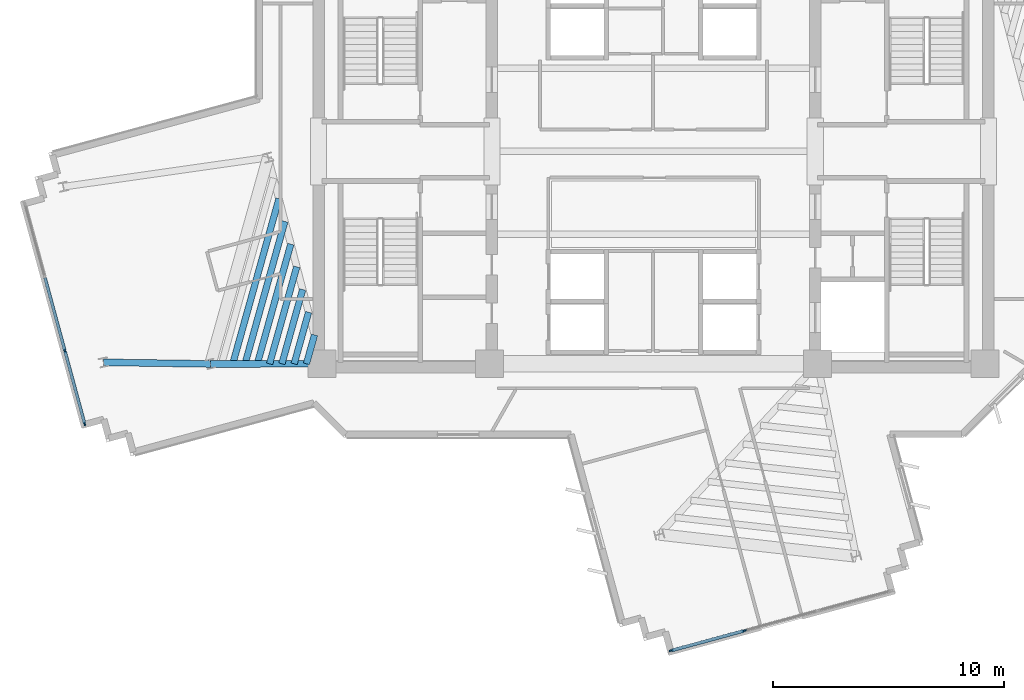
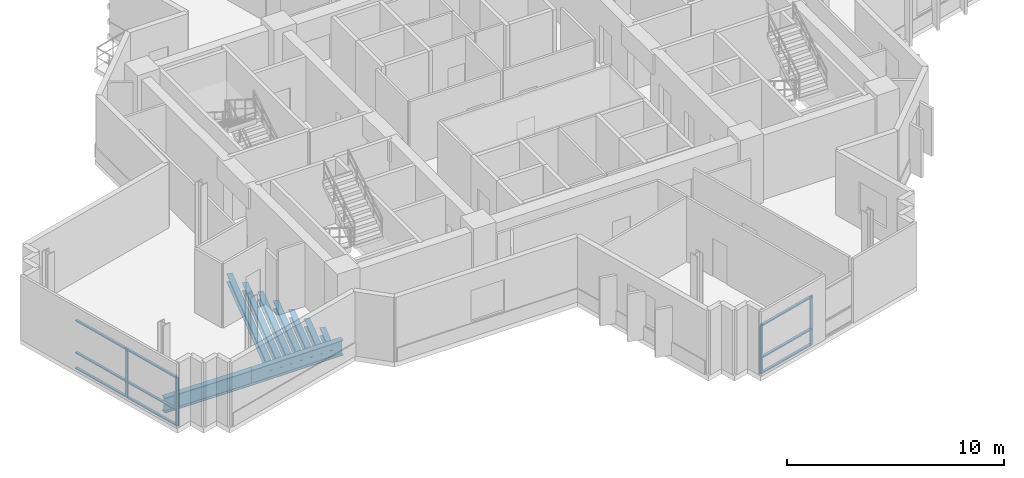
# One storey, part 2 of 15: 13 members, 9 beams, 2 elements without a shape of their own.
"""IFC4 building model written with IfcOpenShell, lengths in metres."""

from ifc_helpers import new_model, si_unit, direction, frame, origin, origin_2d, place, context, subcontext, project, spatial, rectangle, i_section, extrude, source, transform, mapped, material, layer, layer_set, material_profile, profile_set, type_object, element, aggregate, save


model = new_model("IFC4")

# Units and contexts
model_context = context("Model", 3, precision=1e-05, world=origin(), true_north=direction((0.0, 1.0)))
body_context = subcontext(model_context, "Body", "Model", "MODEL_VIEW")
ifc_project = project(units=[si_unit("LENGTHUNIT", "METRE"), si_unit("AREAUNIT", "SQUARE_METRE"), si_unit("VOLUMEUNIT", "CUBIC_METRE"), si_unit("PLANEANGLEUNIT", "RADIAN"), si_unit("MASSUNIT", "GRAM", prefix="KILO")], contexts=[model_context])

# Site, building, storey
site_placement = place(None, origin())
site = spatial("IfcSite", under=ifc_project, at=site_placement, CompositionType="ELEMENT")
building_placement = place(site_placement, origin())
building = spatial("IfcBuilding", under=site, at=building_placement, Name="Zahravan Cultural Tower", CompositionType="ELEMENT")
storey_placement = place(building_placement, frame((0.0, 0.0, 198.0)))
storey = spatial("IfcBuildingStorey", under=building, at=storey_placement, Name="L46", CompositionType="ELEMENT", Elevation=198.0)

# Beams
ifc_material_1 = material(Name="Steel ASTM A992 Grade 50", Category="steel")
ifc_material_profile_1 = material_profile(ifc_material_1, i_section(OverallWidth=0.29296875, OverallDepth=0.845947265625, WebThickness=0.015380859375, FlangeThickness=0.0244140625, FilletRadius=0.02001953125, at=origin_2d()), Name="W33X141")
ifc_profile_set_1 = profile_set([ifc_material_profile_1], Name="Steel ASTM A992 Grade 50")
beam_type_1 = type_object("IfcBeamType", Name="BM-G-W33X141", PredefinedType="BEAM", material=ifc_profile_set_1)
shared_shape_1 = source(origin(), body_context, "Body", "SweptSolid", [
    extrude(i_section(OverallWidth=0.29296875, OverallDepth=0.845947265625, WebThickness=0.015380859375, FlangeThickness=0.0244140625, FilletRadius=0.02001953125, at=origin_2d()), origin(), (0.0, 0.0, 1.0), 4.834716796875),
])
beam_1_placement = place(storey_placement, frame((21.64990234375, 17.800048828125, -0.702880859375), z_axis=(-0.99999920313, -0.001262433979, 0.0), x_axis=(0.001262433979, -0.99999920313, 0.0)))
element("IfcBeam", 1, at=beam_1_placement, inside=storey, type_object=beam_type_1, Name="L46 Beam BG-L46-08", PredefinedType="BEAM", context=body_context, shape_type="MappedRepresentation", body=[
    mapped(shared_shape_1, transform((0.0, 0.0, 0.0), x_axis=(1.0, 0.0, 0.0), y_axis=(0.0, 1.0, 0.0), z_axis=(0.0, 0.0, 1.0), scale=1.0)),
])
shared_shape_2 = source(origin(), body_context, "Body", "SweptSolid", [
    extrude(i_section(OverallWidth=0.29296875, OverallDepth=0.845947265625, WebThickness=0.015380859375, FlangeThickness=0.0244140625, FilletRadius=0.02001953125, at=origin_2d()), origin(), (0.0, 0.0, 1.0), 4.622314453125),
])
beam_2_placement = place(storey_placement, frame((16.815185546875, 17.7939453125, -0.702880859375), z_axis=(-0.999889070044, 0.014894549562, 0.0), x_axis=(-0.014894549562, -0.999889070044, 0.0)))
element("IfcBeam", 2, at=beam_2_placement, inside=storey, type_object=beam_type_1, Name="L46 Beam BG-L46-18", PredefinedType="BEAM", context=body_context, shape_type="MappedRepresentation", body=[
    mapped(shared_shape_2, transform((0.0, 0.0, 0.0), x_axis=(1.0, 0.0, 0.0), y_axis=(0.0, 1.0, 0.0), z_axis=(0.0, 0.0, 1.0), scale=1.0)),
])
ifc_material_profile_2 = material_profile(ifc_material_1, i_section(OverallWidth=0.280029296875, OverallDepth=0.462890625, WebThickness=0.0107421875, FlangeThickness=0.017333984375, FilletRadius=0.012939453125, at=origin_2d()), Name="W18X76")
ifc_profile_set_2 = profile_set([ifc_material_profile_2], Name="Steel ASTM A992 Grade 50")
beam_type_2 = type_object("IfcBeamType", Name="BM-J-W18X76", PredefinedType="JOIST", material=ifc_profile_set_2)
shared_shape_3 = source(origin(), body_context, "Body", "SweptSolid", [
    extrude(i_section(OverallWidth=0.280029296875, OverallDepth=0.462890625, WebThickness=0.0107421875, FlangeThickness=0.017333984375, FilletRadius=0.012939453125, at=origin_2d()), origin(), (0.0, 0.0, 1.0), 1.299072265625),
])
beam_3_placement = place(storey_placement, frame((21.3232421875, 19.050048828125, -0.511474609375), z_axis=(-0.269504444708, -0.962999145525, 0.0), x_axis=(0.962999145525, -0.269504444708, 0.0)))
element("IfcBeam", 3, at=beam_3_placement, inside=storey, type_object=beam_type_2, Name="L46 Beam BJ-L46-26", PredefinedType="JOIST", context=body_context, shape_type="MappedRepresentation", body=[
    mapped(shared_shape_3, transform((0.0, 0.0, 0.0), x_axis=(1.0, 0.0, 0.0), y_axis=(0.0, 1.0, 0.0), z_axis=(0.0, 0.0, 1.0), scale=1.0)),
])
shared_shape_4 = source(origin(), body_context, "Body", "SweptSolid", [
    extrude(i_section(OverallWidth=0.280029296875, OverallDepth=0.462890625, WebThickness=0.0107421875, FlangeThickness=0.017333984375, FilletRadius=0.012939453125, at=origin_2d()), origin(), (0.0, 0.0, 1.0), 2.3193359375),
])
beam_4_placement = place(storey_placement, frame((21.06640625, 20.0322265625, -0.511474609375), z_axis=(-0.269462038626, -0.963011012263, 0.0), x_axis=(0.963011012263, -0.269462038626, 0.0)))
element("IfcBeam", 4, at=beam_4_placement, inside=storey, type_object=beam_type_2, Name="L46 Beam BJ-L46-27", PredefinedType="JOIST", context=body_context, shape_type="MappedRepresentation", body=[
    mapped(shared_shape_4, transform((0.0, 0.0, 0.0), x_axis=(1.0, 0.0, 0.0), y_axis=(0.0, 1.0, 0.0), z_axis=(0.0, 0.0, 1.0), scale=1.0)),
])
shared_shape_5 = source(origin(), body_context, "Body", "SweptSolid", [
    extrude(i_section(OverallWidth=0.280029296875, OverallDepth=0.462890625, WebThickness=0.0107421875, FlangeThickness=0.017333984375, FilletRadius=0.012939453125, at=origin_2d()), origin(), (0.0, 0.0, 1.0), 3.340087890625),
])
beam_5_placement = place(storey_placement, frame((20.809814453125, 21.014404296875, -0.511474609375), z_axis=(-0.269562146951, -0.962982995141, 0.0), x_axis=(0.962982995141, -0.269562146951, 0.0)))
element("IfcBeam", 5, at=beam_5_placement, inside=storey, type_object=beam_type_2, Name="L46 Beam BJ-L46-28", PredefinedType="JOIST", context=body_context, shape_type="MappedRepresentation", body=[
    mapped(shared_shape_5, transform((0.0, 0.0, 0.0), x_axis=(1.0, 0.0, 0.0), y_axis=(0.0, 1.0, 0.0), z_axis=(0.0, 0.0, 1.0), scale=1.0)),
])
shared_shape_6 = source(origin(), body_context, "Body", "SweptSolid", [
    extrude(i_section(OverallWidth=0.280029296875, OverallDepth=0.462890625, WebThickness=0.0107421875, FlangeThickness=0.017333984375, FilletRadius=0.012939453125, at=origin_2d()), origin(), (0.0, 0.0, 1.0), 4.36083984375),
])
beam_6_placement = place(storey_placement, frame((20.552978515625, 21.99658203125, -0.511474609375), z_axis=(-0.269511557673, -0.962997154866, 0.0), x_axis=(0.962997154866, -0.269511557673, 0.0)))
element("IfcBeam", 6, at=beam_6_placement, inside=storey, type_object=beam_type_2, Name="L46 Beam BJ-L46-29", PredefinedType="JOIST", context=body_context, shape_type="MappedRepresentation", body=[
    mapped(shared_shape_6, transform((0.0, 0.0, 0.0), x_axis=(1.0, 0.0, 0.0), y_axis=(0.0, 1.0, 0.0), z_axis=(0.0, 0.0, 1.0), scale=1.0)),
])
shared_shape_7 = source(origin(), body_context, "Body", "SweptSolid", [
    extrude(i_section(OverallWidth=0.280029296875, OverallDepth=0.462890625, WebThickness=0.0107421875, FlangeThickness=0.017333984375, FilletRadius=0.012939453125, at=origin_2d()), origin(), (0.0, 0.0, 1.0), 5.3818359375),
])
beam_7_placement = place(storey_placement, frame((20.296142578125, 22.97900390625, -0.511474609375), z_axis=(-0.269510454638, -0.962997463569, 0.0), x_axis=(0.962997463569, -0.269510454638, 0.0)))
element("IfcBeam", 7, at=beam_7_placement, inside=storey, type_object=beam_type_2, Name="L46 Beam BJ-L46-30", PredefinedType="JOIST", context=body_context, shape_type="MappedRepresentation", body=[
    mapped(shared_shape_7, transform((0.0, 0.0, 0.0), x_axis=(1.0, 0.0, 0.0), y_axis=(0.0, 1.0, 0.0), z_axis=(0.0, 0.0, 1.0), scale=1.0)),
])
shared_shape_8 = source(origin(), body_context, "Body", "SweptSolid", [
    extrude(i_section(OverallWidth=0.280029296875, OverallDepth=0.462890625, WebThickness=0.0107421875, FlangeThickness=0.017333984375, FilletRadius=0.012939453125, at=origin_2d()), origin(), (0.0, 0.0, 1.0), 6.402099609375),
])
beam_8_placement = place(storey_placement, frame((20.039306640625, 23.961181640625, -0.511474609375), z_axis=(-0.269494133533, -0.963002031146, 0.0), x_axis=(0.963002031146, -0.269494133533, 0.0)))
element("IfcBeam", 8, at=beam_8_placement, inside=storey, type_object=beam_type_2, Name="L46 Beam BJ-L46-31", PredefinedType="JOIST", context=body_context, shape_type="MappedRepresentation", body=[
    mapped(shared_shape_8, transform((0.0, 0.0, 0.0), x_axis=(1.0, 0.0, 0.0), y_axis=(0.0, 1.0, 0.0), z_axis=(0.0, 0.0, 1.0), scale=1.0)),
])
shared_shape_9 = source(origin(), body_context, "Body", "SweptSolid", [
    extrude(i_section(OverallWidth=0.280029296875, OverallDepth=0.462890625, WebThickness=0.0107421875, FlangeThickness=0.017333984375, FilletRadius=0.012939453125, at=origin_2d()), origin(), (0.0, 0.0, 1.0), 7.4228515625),
])
beam_9_placement = place(storey_placement, frame((19.78271484375, 24.943359375, -0.511474609375), z_axis=(-0.269504266128, -0.962999195503, 0.0), x_axis=(0.962999195503, -0.269504266128, 0.0)))
element("IfcBeam", 9, at=beam_9_placement, inside=storey, type_object=beam_type_2, Name="L46 Beam BJ-L46-32", PredefinedType="JOIST", context=body_context, shape_type="MappedRepresentation", body=[
    mapped(shared_shape_9, transform((0.0, 0.0, 0.0), x_axis=(1.0, 0.0, 0.0), y_axis=(0.0, 1.0, 0.0), z_axis=(0.0, 0.0, 1.0), scale=1.0)),
])

# Curtain wall, members
ifc_material_2 = material(Name="Anodised bronze-aluminium mullion", Category="aluminium")
ifc_layer_1 = layer(ifc_material_2, 0.179931640625)
ifc_layer_set_1 = layer_set([ifc_layer_1], Name="Anodised bronze-aluminium mullion")
curtain_wall_type_1 = type_object("IfcCurtainWallType", Name="CW-SYS-3", PredefinedType="USERDEFINED", material=ifc_layer_set_1)
curtain_wall_1_placement = place(storey_placement, origin())
curtain_wall_1 = element("IfcCurtainWall", 10, at=curtain_wall_1_placement, inside=storey, type_object=curtain_wall_type_1, Name="L46 Recessed Curtain Wall CW-3.1", ObjectType="RECESSED GLAZING", PredefinedType="USERDEFINED")
ifc_material_profile_3 = material_profile(ifc_material_2, rectangle(XDim=0.070068359375, YDim=0.179931640625, at=origin_2d()), Name="AL-M70X180")
ifc_profile_set_3 = profile_set([ifc_material_profile_3], Name="Anodised bronze-aluminium mullion")
member_type_1 = type_object("IfcMemberType", Name="CWM-CW-3", PredefinedType="MULLION", material=ifc_profile_set_3)
shared_shape_10 = source(origin(), body_context, "Body", "SweptSolid", [
    extrude(rectangle(XDim=0.070068359375, YDim=0.179931640625, at=origin_2d()), origin(), (0.0, 0.0, 1.0), 2.739990234375),
])
member_1_placement = place(storey_placement, frame((39.92626953125, 6.2431640625, 0.0), z_axis=(0.0, 0.0, 1.0), x_axis=(0.262186687636, -0.96501717126, 0.0)))
member_1 = element("IfcMember", 11, at=member_1_placement, type_object=member_type_1, Name="CW-3 mullion 3", PredefinedType="MULLION", context=body_context, shape_type="MappedRepresentation", body=[
    mapped(shared_shape_10, transform((0.0, 0.0, 0.0), x_axis=(1.0, 0.0, 0.0), y_axis=(0.0, 1.0, 0.0), z_axis=(0.0, 0.0, 1.0), scale=1.0)),
])
member_2_placement = place(storey_placement, frame((36.76904296875, 5.385498046875, 0.0), z_axis=(0.0, 0.0, 1.0), x_axis=(0.262186687636, -0.96501717126, 0.0)))
member_2 = element("IfcMember", 12, at=member_2_placement, type_object=member_type_1, Name="CW-3 mullion 4", PredefinedType="MULLION", context=body_context, shape_type="MappedRepresentation", body=[
    mapped(shared_shape_10, transform((0.0, 0.0, 0.0), x_axis=(1.0, 0.0, 0.0), y_axis=(0.0, 1.0, 0.0), z_axis=(0.0, 0.0, 1.0), scale=1.0)),
])
ifc_material_profile_4 = material_profile(ifc_material_2, rectangle(XDim=0.139892578125, YDim=0.070068359375, at=origin_2d()), Name="AL-T70X140")
ifc_profile_set_4 = profile_set([ifc_material_profile_4], Name="Anodised bronze-aluminium mullion")
member_type_2 = type_object("IfcMemberType", Name="CWT-CW-3", PredefinedType="USERDEFINED", material=ifc_profile_set_4)
shared_shape_11 = source(origin(), body_context, "Body", "SweptSolid", [
    extrude(rectangle(XDim=0.139892578125, YDim=0.070068359375, at=origin_2d()), origin(), (0.0, 0.0, 1.0), 3.20166015625),
])
member_3_placement = place(storey_placement, frame((39.892333984375, 6.234130859375, 0.034912109375), z_axis=(-0.965002744482, -0.262239781768, 0.0), x_axis=(0.262239781768, -0.965002744482, 0.0)))
member_3 = element("IfcMember", 13, at=member_3_placement, type_object=member_type_2, Name="CW-3 transom 3.1", ObjectType="TRANSOM", PredefinedType="USERDEFINED", context=body_context, shape_type="MappedRepresentation", body=[
    mapped(shared_shape_11, transform((0.0, 0.0, 0.0), x_axis=(1.0, 0.0, 0.0), y_axis=(0.0, 1.0, 0.0), z_axis=(0.0, 0.0, 1.0), scale=1.0)),
])
member_4_placement = place(storey_placement, frame((39.892333984375, 6.234130859375, 0.89990234375), z_axis=(-0.965002744482, -0.262239781768, 0.0), x_axis=(0.262239781768, -0.965002744482, 0.0)))
member_4 = element("IfcMember", 14, at=member_4_placement, type_object=member_type_2, Name="CW-3 transom 3.2", ObjectType="TRANSOM", PredefinedType="USERDEFINED", context=body_context, shape_type="MappedRepresentation", body=[
    mapped(shared_shape_11, transform((0.0, 0.0, 0.0), x_axis=(1.0, 0.0, 0.0), y_axis=(0.0, 1.0, 0.0), z_axis=(0.0, 0.0, 1.0), scale=1.0)),
])
member_5_placement = place(storey_placement, frame((39.892333984375, 6.234130859375, 2.705078125), z_axis=(-0.965002744482, -0.262239781768, 0.0), x_axis=(0.262239781768, -0.965002744482, 0.0)))
member_5 = element("IfcMember", 15, at=member_5_placement, type_object=member_type_2, Name="CW-3 transom 3.3", ObjectType="TRANSOM", PredefinedType="USERDEFINED", context=body_context, shape_type="MappedRepresentation", body=[
    mapped(shared_shape_11, transform((0.0, 0.0, 0.0), x_axis=(1.0, 0.0, 0.0), y_axis=(0.0, 1.0, 0.0), z_axis=(0.0, 0.0, 1.0), scale=1.0)),
])
aggregate(curtain_wall_1, [member_1, member_2, member_3, member_4, member_5])

ifc_layer_2 = layer(ifc_material_2, 0.1650390625)
ifc_layer_set_2 = layer_set([ifc_layer_2], Name="Anodised bronze-aluminium mullion")
curtain_wall_type_2 = type_object("IfcCurtainWallType", Name="CW-SYS-4", PredefinedType="USERDEFINED", material=ifc_layer_set_2)
curtain_wall_2_placement = place(storey_placement, origin())
curtain_wall_2 = element("IfcCurtainWall", 16, at=curtain_wall_2_placement, inside=storey, type_object=curtain_wall_type_2, Name="L46 Recessed Curtain Wall CW-4.2", ObjectType="RECESSED GLAZING", PredefinedType="USERDEFINED")
ifc_material_profile_5 = material_profile(ifc_material_2, rectangle(XDim=0.06494140625, YDim=0.1650390625, at=origin_2d()), Name="AL-M65X165")
ifc_profile_set_5 = profile_set([ifc_material_profile_5], Name="Anodised bronze-aluminium mullion")
member_type_3 = type_object("IfcMemberType", Name="CWM-CW-4", PredefinedType="MULLION", material=ifc_profile_set_5)
shared_shape_12 = source(origin(), body_context, "Body", "SweptSolid", [
    extrude(rectangle(XDim=0.06494140625, YDim=0.1650390625, at=origin_2d()), origin(), (0.0, 0.0, 1.0), 2.739990234375),
])
member_6_placement = place(storey_placement, frame((11.37158203125, 15.202392578125, 0.0), z_axis=(0.0, 0.0, 1.0), x_axis=(-0.96501717126, -0.262186687636, 0.0)))
member_6 = element("IfcMember", 17, at=member_6_placement, type_object=member_type_3, Name="CW-4 mullion 1", PredefinedType="MULLION", context=body_context, shape_type="MappedRepresentation", body=[
    mapped(shared_shape_12, transform((0.0, 0.0, 0.0), x_axis=(1.0, 0.0, 0.0), y_axis=(0.0, 1.0, 0.0), z_axis=(0.0, 0.0, 1.0), scale=1.0)),
])
member_7_placement = place(storey_placement, frame((10.51318359375, 18.362060546875, 0.0), z_axis=(0.0, 0.0, 1.0), x_axis=(-0.96501717126, -0.262186687636, 0.0)))
member_7 = element("IfcMember", 18, at=member_7_placement, type_object=member_type_3, Name="CW-4 mullion 2", PredefinedType="MULLION", context=body_context, shape_type="MappedRepresentation", body=[
    mapped(shared_shape_12, transform((0.0, 0.0, 0.0), x_axis=(1.0, 0.0, 0.0), y_axis=(0.0, 1.0, 0.0), z_axis=(0.0, 0.0, 1.0), scale=1.0)),
])
ifc_material_profile_6 = material_profile(ifc_material_2, rectangle(XDim=0.1298828125, YDim=0.06494140625, at=origin_2d()), Name="AL-T65X130")
ifc_profile_set_6 = profile_set([ifc_material_profile_6], Name="Anodised bronze-aluminium mullion")
member_type_4 = type_object("IfcMemberType", Name="CWT-CW-4", PredefinedType="USERDEFINED", material=ifc_profile_set_6)
shared_shape_13 = source(origin(), body_context, "Body", "SweptSolid", [
    extrude(rectangle(XDim=0.1298828125, YDim=0.06494140625, at=origin_2d()), origin(), (0.0, 0.0, 1.0), 3.209228515625),
])
member_8_placement = place(storey_placement, frame((11.363037109375, 15.23388671875, 0.032470703125), z_axis=(-0.262158132098, 0.965024929095, 0.0), x_axis=(-0.965024929095, -0.262158132098, 0.0)))
member_8 = element("IfcMember", 19, at=member_8_placement, type_object=member_type_4, Name="CW-4 transom 1.1", ObjectType="TRANSOM", PredefinedType="USERDEFINED", context=body_context, shape_type="MappedRepresentation", body=[
    mapped(shared_shape_13, transform((0.0, 0.0, 0.0), x_axis=(1.0, 0.0, 0.0), y_axis=(0.0, 1.0, 0.0), z_axis=(0.0, 0.0, 1.0), scale=1.0)),
])
member_9_placement = place(storey_placement, frame((11.363037109375, 15.23388671875, 0.89990234375), z_axis=(-0.262158132098, 0.965024929095, 0.0), x_axis=(-0.965024929095, -0.262158132098, 0.0)))
member_9 = element("IfcMember", 20, at=member_9_placement, type_object=member_type_4, Name="CW-4 transom 1.2", ObjectType="TRANSOM", PredefinedType="USERDEFINED", context=body_context, shape_type="MappedRepresentation", body=[
    mapped(shared_shape_13, transform((0.0, 0.0, 0.0), x_axis=(1.0, 0.0, 0.0), y_axis=(0.0, 1.0, 0.0), z_axis=(0.0, 0.0, 1.0), scale=1.0)),
])
member_10_placement = place(storey_placement, frame((11.363037109375, 15.23388671875, 2.70751953125), z_axis=(-0.262158132098, 0.965024929095, 0.0), x_axis=(-0.965024929095, -0.262158132098, 0.0)))
member_10 = element("IfcMember", 21, at=member_10_placement, type_object=member_type_4, Name="CW-4 transom 1.3", ObjectType="TRANSOM", PredefinedType="USERDEFINED", context=body_context, shape_type="MappedRepresentation", body=[
    mapped(shared_shape_13, transform((0.0, 0.0, 0.0), x_axis=(1.0, 0.0, 0.0), y_axis=(0.0, 1.0, 0.0), z_axis=(0.0, 0.0, 1.0), scale=1.0)),
])
shared_shape_14 = source(origin(), body_context, "Body", "SweptSolid", [
    extrude(rectangle(XDim=0.1298828125, YDim=0.06494140625, at=origin_2d()), origin(), (0.0, 0.0, 1.0), 3.241455078125),
])
member_11_placement = place(storey_placement, frame((10.504638671875, 18.3935546875, 0.032470703125), z_axis=(-0.262174095232, 0.965020592417, 0.0), x_axis=(-0.965020592417, -0.262174095232, 0.0)))
member_11 = element("IfcMember", 22, at=member_11_placement, type_object=member_type_4, Name="CW-4 transom 2.1", ObjectType="TRANSOM", PredefinedType="USERDEFINED", context=body_context, shape_type="MappedRepresentation", body=[
    mapped(shared_shape_14, transform((0.0, 0.0, 0.0), x_axis=(1.0, 0.0, 0.0), y_axis=(0.0, 1.0, 0.0), z_axis=(0.0, 0.0, 1.0), scale=1.0)),
])
member_12_placement = place(storey_placement, frame((10.504638671875, 18.3935546875, 0.89990234375), z_axis=(-0.262174095232, 0.965020592417, 0.0), x_axis=(-0.965020592417, -0.262174095232, 0.0)))
member_12 = element("IfcMember", 23, at=member_12_placement, type_object=member_type_4, Name="CW-4 transom 2.2", ObjectType="TRANSOM", PredefinedType="USERDEFINED", context=body_context, shape_type="MappedRepresentation", body=[
    mapped(shared_shape_14, transform((0.0, 0.0, 0.0), x_axis=(1.0, 0.0, 0.0), y_axis=(0.0, 1.0, 0.0), z_axis=(0.0, 0.0, 1.0), scale=1.0)),
])
member_13_placement = place(storey_placement, frame((10.504638671875, 18.3935546875, 2.70751953125), z_axis=(-0.262174095232, 0.965020592417, 0.0), x_axis=(-0.965020592417, -0.262174095232, 0.0)))
member_13 = element("IfcMember", 24, at=member_13_placement, type_object=member_type_4, Name="CW-4 transom 2.3", ObjectType="TRANSOM", PredefinedType="USERDEFINED", context=body_context, shape_type="MappedRepresentation", body=[
    mapped(shared_shape_14, transform((0.0, 0.0, 0.0), x_axis=(1.0, 0.0, 0.0), y_axis=(0.0, 1.0, 0.0), z_axis=(0.0, 0.0, 1.0), scale=1.0)),
])
aggregate(curtain_wall_2, [member_6, member_7, member_8, member_9, member_10, member_11, member_12, member_13])

save(model, "model.ifc")
